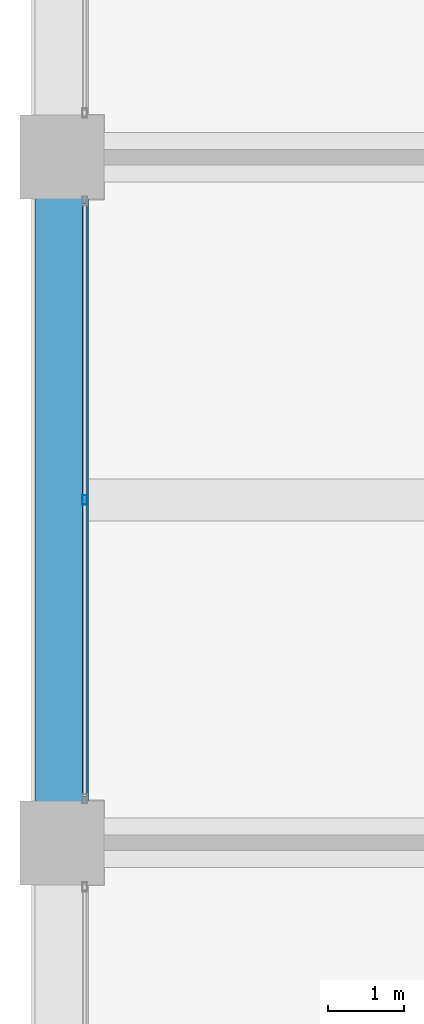
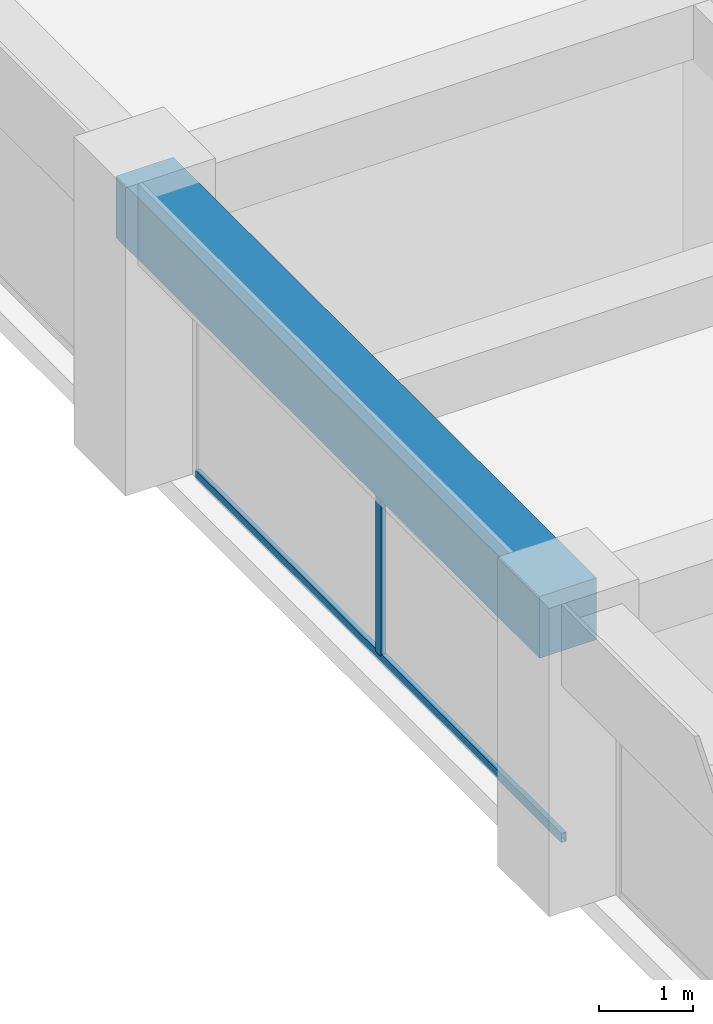
# One storey, part 14 of 44: 2 members, 1 beam, 1 element without a shape of its own.
"""IFC4 building model written with IfcOpenShell, lengths in metres."""

from ifc_helpers import new_model, si_unit, direction, frame, origin, origin_2d, place, context, subcontext, project, spatial, rectangle, hollow_rectangle, extrude, material, material_profile, profile_set, type_object, element, aggregate, save


model = new_model("IFC4")

# Units and contexts
model_context = context("Model", 3, precision=1e-05, world=origin(), true_north=direction((0.0, 1.0)))
body_context = subcontext(model_context, "Body", "Model", "MODEL_VIEW")
ifc_project = project(units=[si_unit("LENGTHUNIT", "METRE"), si_unit("AREAUNIT", "SQUARE_METRE"), si_unit("VOLUMEUNIT", "CUBIC_METRE"), si_unit("PLANEANGLEUNIT", "RADIAN"), si_unit("MASSUNIT", "GRAM", prefix="KILO")], contexts=[model_context])

# Site, building, storey
site_placement = place(None, origin())
site = spatial("IfcSite", under=ifc_project, at=site_placement, CompositionType="ELEMENT")
building_placement = place(site_placement, origin())
building = spatial("IfcBuilding", under=site, at=building_placement, Name="Zorevar Civic Tower", CompositionType="ELEMENT")
storey_placement = place(building_placement, frame((0.0, 0.0, 267.39990234375)))
storey = spatial("IfcBuildingStorey", under=building, at=storey_placement, Name="L65", CompositionType="ELEMENT", Elevation=267.39990234375)

# Curtain wall, members
ifc_material_1 = material(Name="Dark grey solar-control glass in black aluminium frame", Category="aluminium")
curtain_wall_type = type_object("IfcCurtainWallType", Name="Curtain wall CW5 top zone", PredefinedType="NOTDEFINED", material=ifc_material_1)
curtain_wall_placement = place(storey_placement, origin())
curtain_wall = element("IfcCurtainWall", 1, at=curtain_wall_placement, inside=storey, type_object=curtain_wall_type, Name="CW5 L65", PredefinedType="NOTDEFINED")
ifc_material_2 = material(Name="Aluminium, black anodised", Category="aluminium")
ifc_material_profile_1 = material_profile(ifc_material_2, hollow_rectangle(XDim=0.06005859375, YDim=0.1201171875, WallThickness=0.0029296875, at=origin_2d()), Name="AL 120x60x3")
ifc_profile_set_1 = profile_set([ifc_material_profile_1], Name="Aluminium, black anodised")
member_type_1 = type_object("IfcMemberType", Name="CW5 mullion AL 120x60x3", PredefinedType="MULLION", material=ifc_profile_set_1)
member_1_placement = place(storey_placement, frame((9.300048828125, 22.5, 0.06005859375), z_axis=(0.0, 0.0, 1.0), x_axis=(-1.0, 0.0, 0.0)))
member_1 = element("IfcMember", 2, at=member_1_placement, type_object=member_type_1, Name="CW5 mullion 2", PredefinedType="MULLION", context=body_context, shape_type="SweptSolid", body=[
    extrude(hollow_rectangle(XDim=0.06005859375, YDim=0.1201171875, WallThickness=0.0029296875, at=origin_2d()), origin(), (0.0, 0.0, 1.0), 2.89013671875),
])
ifc_material_3 = material(Name="Aluminium, black anodised", Category="aluminium")
ifc_material_profile_2 = material_profile(ifc_material_3, hollow_rectangle(XDim=0.06005859375, YDim=0.1201171875, WallThickness=0.0029296875, at=origin_2d()), Name="AL 120x60x3")
ifc_profile_set_2 = profile_set([ifc_material_profile_2], Name="Aluminium, black anodised")
member_type_2 = type_object("IfcMemberType", Name="CW5 transom AL 120x60x3", PredefinedType="USERDEFINED", material=ifc_profile_set_2)
member_2_placement = place(storey_placement, frame((9.300048828125, 18.610107421875, 0.030029296875), z_axis=(0.0, 1.0, 0.0), x_axis=(-1.0, 0.0, 0.0)))
member_2 = element("IfcMember", 3, at=member_2_placement, type_object=member_type_2, Name="CW5 sill transom", ObjectType="TRANSOM", PredefinedType="USERDEFINED", context=body_context, shape_type="SweptSolid", body=[
    extrude(hollow_rectangle(XDim=0.06005859375, YDim=0.1201171875, WallThickness=0.0029296875, at=origin_2d()), origin(), (0.0, 0.0, 1.0), 7.77978515625),
])
aggregate(curtain_wall, [member_1, member_2])

# Beam
ifc_material_4 = material(Name="Concrete C50/60", Category="concrete")
ifc_material_profile_3 = material_profile(ifc_material_4, rectangle(XDim=0.699951171875, YDim=0.800048828125, at=origin_2d()), Name="RC 700x800")
ifc_profile_set_3 = profile_set([ifc_material_profile_3], Name="Concrete C50/60")
beam_type = type_object("IfcBeamType", Name="Edge beam RC 700x800", PredefinedType="SPANDREL", material=ifc_profile_set_3)
beam_placement = place(storey_placement, frame((9.0, 18.0, 3.35009765625), z_axis=(0.0, 1.0, 0.0), x_axis=(-1.0, 0.0, 0.0)))
element("IfcBeam", 4, at=beam_placement, inside=storey, type_object=beam_type, Name="Edge beam L66", PredefinedType="SPANDREL", context=body_context, shape_type="SweptSolid", body=[
    extrude(rectangle(XDim=0.699951171875, YDim=0.800048828125, at=origin_2d()), origin(), (0.0, 0.0, 1.0), 9.0),
])

save(model, "model.ifc")
